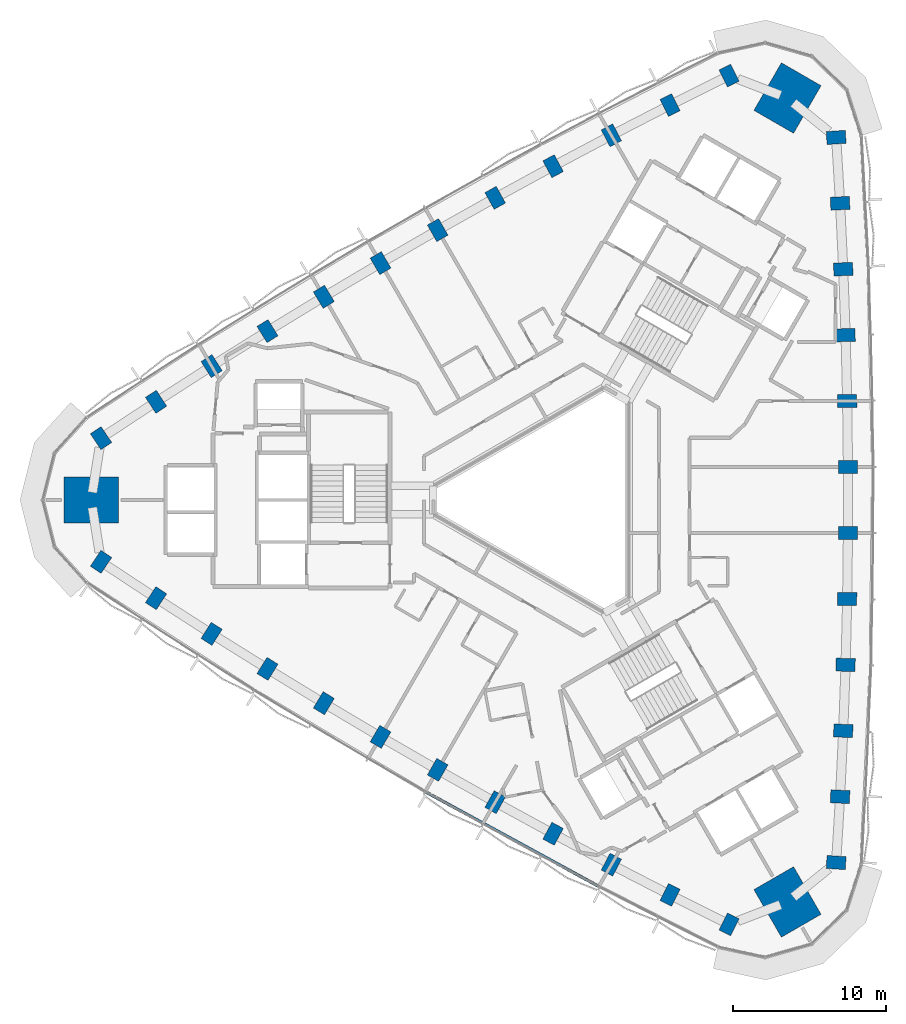
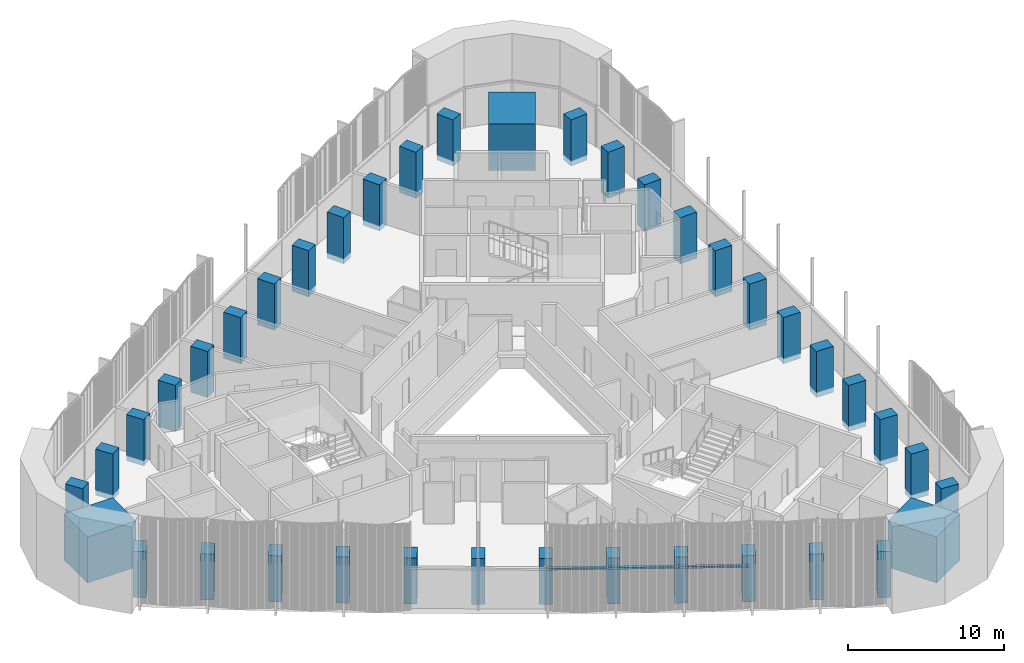
# One storey, part 1 of 15: 39 columns, 1 member, 1 element without a shape of its own.
"""IFC4 building model written with IfcOpenShell, lengths in metres."""

from ifc_helpers import new_model, si_unit, direction, frame, origin, origin_2d, place, context, subcontext, project, spatial, rectangle, extrude, material, material_profile, profile_set, type_object, element, aggregate, save


model = new_model("IFC4")

# Units and contexts
model_context = context("Model", 3, precision=1e-05, world=origin(), true_north=direction((0.0, 1.0)))
body_context = subcontext(model_context, "Body", "Model", "MODEL_VIEW")
ifc_project = project(units=[si_unit("LENGTHUNIT", "METRE"), si_unit("AREAUNIT", "SQUARE_METRE"), si_unit("VOLUMEUNIT", "CUBIC_METRE"), si_unit("PLANEANGLEUNIT", "RADIAN"), si_unit("MASSUNIT", "GRAM", prefix="KILO")], contexts=[model_context])

# Site, building, storey
site_placement = place(None, origin())
site = spatial("IfcSite", under=ifc_project, at=site_placement, CompositionType="ELEMENT")
building_placement = place(site_placement, origin())
building = spatial("IfcBuilding", under=site, at=building_placement, Name="Tamra Quay Hotel Tower", CompositionType="ELEMENT")
storey_placement = place(building_placement, frame((0.0, 0.0, 128.800048828125)))
storey = spatial("IfcBuildingStorey", under=building, at=storey_placement, Name="L31", CompositionType="ELEMENT", Elevation=128.800048828125)

# Columns
ifc_material_1 = material(Name="Concrete M70", Category="concrete")
ifc_material_profile_1 = material_profile(ifc_material_1, rectangle(XDim=1.25, YDim=0.85009765625, at=origin_2d()), Name="COLUMN RC 850x1250 Z3")
ifc_profile_set_1 = profile_set([ifc_material_profile_1], Name="Concrete M70")
column_type_1 = type_object("IfcColumnType", Name="COLUMN RC 850x1250 Z3", PredefinedType="COLUMN", material=ifc_profile_set_1)
for number, where, z_axis, x_axis, name in (
    (1, (18.396728515625, -23.757080078125, -0.400146484375), (0.0, 0.0, 1.0), (-0.997857895766, 0.065418803553, 0.0), "COL-C3E01-L31"),
    (2, (18.654541015625, -19.4423828125, -0.400146484375), (0.0, 0.0, 1.0), (-0.998562324173, 0.053603029218, 0.0), "COL-C3E02-L31"),
    (3, (18.86083984375, -15.124267578125, -0.400146484375), (0.0, 0.0, 1.0), (-0.999109109653, 0.042201741775, 0.0), "COL-C3E03-L31"),
    (4, (19.015869140625, -10.8046875, -0.400146484375), (0.0, 0.0, 1.0), (-0.99955268585, 0.029906992649, 0.0), "COL-C3E04-L31"),
    (5, (19.119140625, -6.483642578125, -0.400146484375), (0.0, 0.0, 1.0), (-0.999845156469, 0.017597246518, 0.0), "COL-C3E05-L31"),
    (6, (19.1708984375, -2.1611328125, -0.400146484375), (0.0, 0.0, 1.0), (-0.999981031775, 0.006159227987, 0.0), "COL-C3E06-L31"),
    (7, (19.1708984375, 2.1611328125, -0.400146484375), (0.0, 0.0, 1.0), (0.999981031775, 0.006159227987, 0.0), "COL-C3E07-L31"),
    (8, (19.119140625, 6.483642578125, -0.400146484375), (0.0, 0.0, 1.0), (0.999845156469, 0.017597246518, 0.0), "COL-C3E08-L31"),
    (9, (19.015869140625, 10.8046875, -0.400146484375), (0.0, 0.0, 1.0), (0.99955268585, 0.029906992649, 0.0), "COL-C3E09-L31"),
    (10, (18.86083984375, 15.124267578125, -0.400146484375), (0.0, 0.0, 1.0), (0.999109109653, 0.042201741775, 0.0), "COL-C3E10-L31"),
    (11, (18.654541015625, 19.4423828125, -0.400146484375), (0.0, 0.0, 1.0), (0.998562324173, 0.053603029218, 0.0), "COL-C3E11-L31"),
    (12, (18.396728515625, 23.757080078125, -0.400146484375), (0.0, 0.0, 1.0), (0.997857895766, 0.065418803553, 0.0), "COL-C3E12-L31"),
    (13, (11.3759765625, 27.810546875, -0.400146484375), (0.0, 0.0, 1.0), (-0.44227460212, 0.896879688877, 0.0), "COL-C3NW01-L31"),
    (14, (7.51025390625, 25.87646484375, -0.400146484375), (0.0, 0.0, 1.0), (-0.452859577064, 0.891581854605, 0.0), "COL-C3NW02-L31"),
    (15, (3.66748046875, 23.896240234375, -0.400146484375), (0.0, 0.0, 1.0), (-0.463006774365, 0.886354740999, 0.0), "COL-C3NW03-L31"),
    (16, (-0.150634765625, 21.87060546875, -0.400146484375), (0.0, 0.0, 1.0), (-0.47387612754, 0.880591514692, 0.0), "COL-C3NW04-L31"),
    (17, (-3.944580078125, 19.799560546875, -0.400146484375), (0.0, 0.0, 1.0), (-0.484682915713, 0.874689928612, 0.0), "COL-C3NW05-L31"),
    (18, (-7.7138671875, 17.68310546875, -0.400146484375), (0.0, 0.0, 1.0), (-0.494656467983, 0.869088590813, 0.0), "COL-C3NW06-L31"),
    (19, (-11.45703125, 15.521728515625, -0.400146484375), (0.0, 0.0, 1.0), (-0.505324563792, 0.862929362827, 0.0), "COL-C3NW07-L31"),
    (20, (-15.174560546875, 13.31591796875, -0.400146484375), (0.0, 0.0, 1.0), (-0.515162240756, 0.857092682094, 0.0), "COL-C3NW08-L31"),
    (21, (-18.864990234375, 11.06591796875, -0.400146484375), (0.0, 0.0, 1.0), (-0.52567655831, 0.850684522043, 0.0), "COL-C3NW09-L31"),
    (22, (-22.528564453125, 8.771728515625, -0.400146484375), (0.0, 0.0, 1.0), (-0.536102335288, 0.844152999224, 0.0), "COL-C3NW10-L31"),
    (23, (-26.164794921875, 6.43408203125, -0.400146484375), (0.0, 0.0, 1.0), (-0.545702747109, 0.837978825387, 0.0), "COL-C3NW11-L31"),
    (24, (-29.772705078125, 4.053466796875, -0.400146484375), (0.0, 0.0, 1.0), (-0.555583293645, 0.831460885323, 0.0), "COL-C3NW12-L31"),
    (25, (-29.772705078125, -4.053466796875, -0.400146484375), (0.0, 0.0, 1.0), (0.555583293645, 0.831460885323, 0.0), "COL-C3SW01-L31"),
    (26, (-26.164794921875, -6.43408203125, -0.400146484375), (0.0, 0.0, 1.0), (0.545702747109, 0.837978825387, 0.0), "COL-C3SW02-L31"),
    (27, (-22.528564453125, -8.771728515625, -0.400146484375), (0.0, 0.0, 1.0), (0.536102335288, 0.844152999224, 0.0), "COL-C3SW03-L31"),
    (28, (-18.864990234375, -11.06591796875, -0.400146484375), (0.0, 0.0, 1.0), (0.52567655831, 0.850684522043, 0.0), "COL-C3SW04-L31"),
    (29, (-15.174560546875, -13.31591796875, -0.400146484375), (0.0, 0.0, 1.0), (0.515162240756, 0.857092682094, 0.0), "COL-C3SW05-L31"),
    (30, (-11.45703125, -15.521728515625, -0.400146484375), (0.0, 0.0, 1.0), (0.505324563792, 0.862929362827, 0.0), "COL-C3SW06-L31"),
    (31, (-7.7138671875, -17.68310546875, -0.400146484375), (0.0, 0.0, 1.0), (0.494656467983, 0.869088590813, 0.0), "COL-C3SW07-L31"),
    (32, (-3.944580078125, -19.799560546875, -0.400146484375), (0.0, 0.0, 1.0), (0.484682915713, 0.874689928612, 0.0), "COL-C3SW08-L31"),
    (33, (-0.150634765625, -21.87060546875, -0.400146484375), (0.0, 0.0, 1.0), (0.47387612754, 0.880591514692, 0.0), "COL-C3SW09-L31"),
    (34, (3.66748046875, -23.896240234375, -0.400146484375), (0.0, 0.0, 1.0), (0.463006774365, 0.886354740999, 0.0), "COL-C3SW10-L31"),
    (35, (7.51025390625, -25.87646484375, -0.400146484375), (0.0, 0.0, 1.0), (0.452859577064, 0.891581854605, 0.0), "COL-C3SW11-L31"),
    (36, (11.3759765625, -27.810546875, -0.400146484375), (0.0, 0.0, 1.0), (0.44227460212, 0.896879688877, 0.0), "COL-C3SW12-L31"),
):
    element("IfcColumn", number, at=place(storey_placement, frame(where, z_axis=z_axis, x_axis=x_axis)), inside=storey, type_object=column_type_1, Name=name, PredefinedType="COLUMN", context=body_context, shape_type="SweptSolid", body=[
        extrude(rectangle(XDim=1.25, YDim=0.85009765625, at=origin_2d()), origin(), (0.0, 0.0, 1.0), 3.60009765625),
    ])
ifc_material_profile_2 = material_profile(ifc_material_1, rectangle(XDim=3.60009765625, YDim=3.0, at=origin_2d()), Name="MEGA COLUMN RC 3000x3600 Z3")
ifc_profile_set_2 = profile_set([ifc_material_profile_2], Name="Concrete M70")
column_type_2 = type_object("IfcColumnType", Name="MEGA COLUMN RC 3000x3600 Z3", PredefinedType="COLUMN", material=ifc_profile_set_2)
for number, where, z_axis, x_axis, name in (
    (37, (15.20703125, 26.339599609375, -0.400146484375), (0.0, 0.0, 1.0), (0.5, 0.866025403784, 0.0), "COL-M3NE-L31"),
    (38, (-30.414306640625, 0.0, -0.400146484375), (0.0, 0.0, 1.0), (1.0, 0.0, 0.0), "COL-M3W-L31"),
    (39, (15.20703125, -26.339599609375, -0.400146484375), (0.0, 0.0, 1.0), (-0.5, 0.866025403784, 0.0), "COL-M3SE-L31"),
):
    element("IfcColumn", number, at=place(storey_placement, frame(where, z_axis=z_axis, x_axis=x_axis)), inside=storey, type_object=column_type_2, Name=name, PredefinedType="COLUMN", context=body_context, shape_type="SweptSolid", body=[
        extrude(rectangle(XDim=3.60009765625, YDim=3.0, at=origin_2d()), origin(), (0.0, 0.0, 1.0), 3.60009765625),
    ])

# Curtain wall, member
ifc_material_2 = material(Name="Aluminium 6063 anodised dark grey", Category="aluminium")
curtain_wall_type = type_object("IfcCurtainWallType", Name="CW3 CURTAIN WALL", PredefinedType="NOTDEFINED", material=ifc_material_2)
curtain_wall_placement = place(storey_placement, origin())
curtain_wall = element("IfcCurtainWall", 40, at=curtain_wall_placement, inside=storey, type_object=curtain_wall_type, Name="CW3 south-west face L31", PredefinedType="NOTDEFINED")
ifc_material_profile_3 = material_profile(ifc_material_2, rectangle(XDim=0.199951171875, YDim=0.139892578125, at=origin_2d()), Name="TRANSOM 200X140")
ifc_profile_set_3 = profile_set([ifc_material_profile_3], Name="Aluminium 6063 anodised dark grey")
member_type = type_object("IfcMemberType", Name="TRANSOM CW3 Z3", PredefinedType="USERDEFINED", material=ifc_profile_set_3)
member_placement = place(storey_placement, frame((-8.48583984375, -19.140625, 3.1298828125), z_axis=(0.877731670987, -0.479152495293, 0.0), x_axis=(0.479152495293, 0.877731670987, 0.0)))
member = element("IfcMember", 41, at=member_placement, type_object=member_type, Name="CW3 transom L31.SW.7", ObjectType="TRANSOM", PredefinedType="USERDEFINED", context=body_context, shape_type="SweptSolid", body=[
    extrude(rectangle(XDim=0.199951171875, YDim=0.139892578125, at=origin_2d()), origin(), (0.0, 0.0, 1.0), 12.92626953125),
])
aggregate(curtain_wall, [member])

save(model, "model.ifc")
